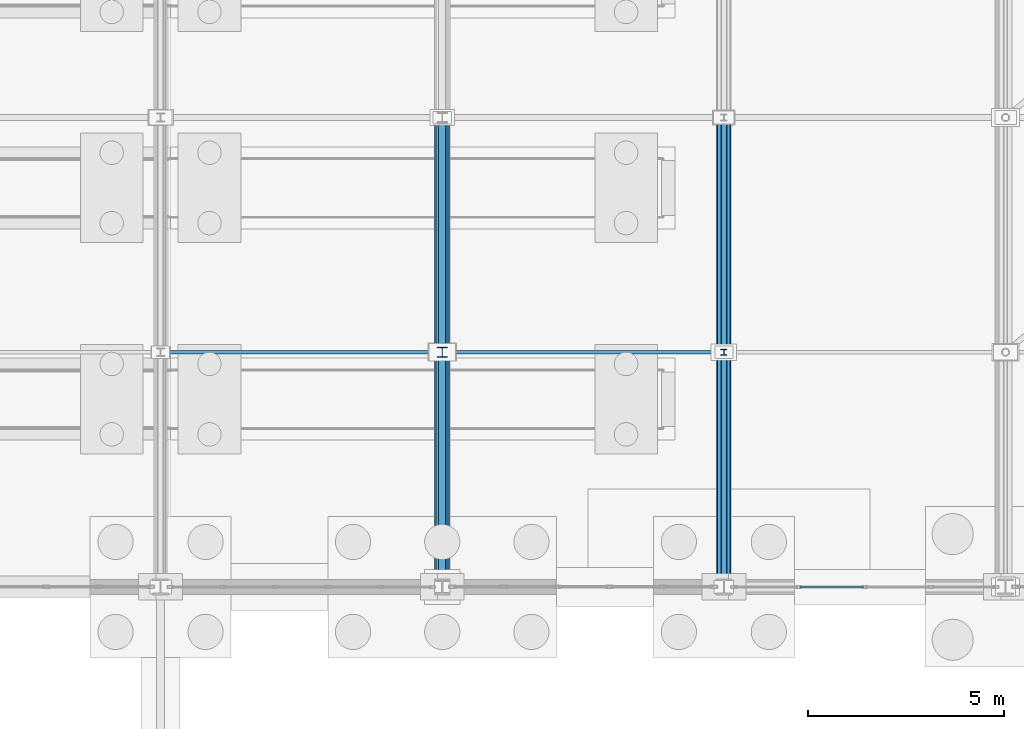
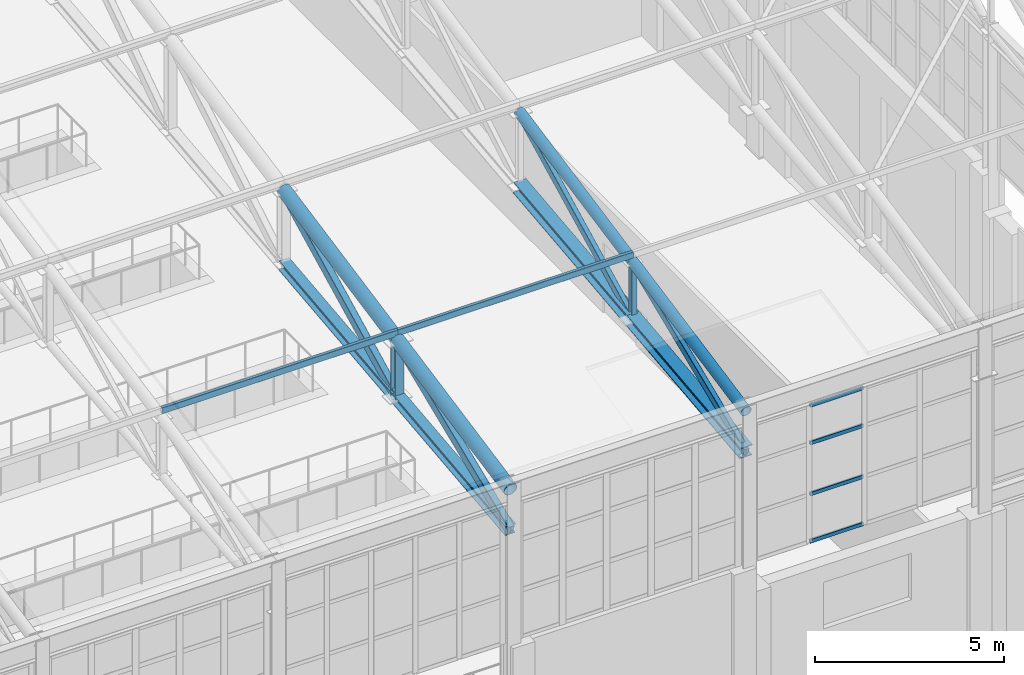
# One storey, part 174 of 293: 20 members, 1 element without a shape of its own.
"""IFC4 building model written with IfcOpenShell, lengths in metres."""

from ifc_helpers import new_model, si_unit, direction, frame, origin, origin_2d, place, context, subcontext, project, spatial, hollow_rectangle, hollow_circle, i_section, extrude, material, layer, layer_set, material_profile, profile_set, type_object, element, aggregate, save


model = new_model("IFC4")

# Units and contexts
model_context = context("Model", 3, precision=1e-05, world=origin(), true_north=direction((0.0, 1.0)))
body_context = subcontext(model_context, "Body", "Model", "MODEL_VIEW")
ifc_project = project(units=[si_unit("LENGTHUNIT", "METRE"), si_unit("AREAUNIT", "SQUARE_METRE"), si_unit("VOLUMEUNIT", "CUBIC_METRE"), si_unit("PLANEANGLEUNIT", "RADIAN"), si_unit("MASSUNIT", "GRAM", prefix="KILO")], contexts=[model_context])

# Site, building, storey
site_placement = place(None, origin())
site = spatial("IfcSite", under=ifc_project, at=site_placement, CompositionType="ELEMENT")
building_placement = place(site_placement, origin())
building = spatial("IfcBuilding", under=site, at=building_placement, Name="Kemerveld Promenade Tramway Depot", CompositionType="ELEMENT")
storey_placement = place(building_placement, origin())
storey = spatial("IfcBuildingStorey", under=building, at=storey_placement, Name="L00", CompositionType="ELEMENT", Elevation=0.0)

# Curtain wall, members
ifc_material_1 = material(Name="Bronze anodised aluminium and solar glass", Category="aluminium")
ifc_layer = layer(ifc_material_1, 0.159912109375)
ifc_layer_set = layer_set([ifc_layer], Name="CW-SYS-09")
curtain_wall_type = type_object("IfcCurtainWallType", Name="CW-SYS-09", PredefinedType="USERDEFINED", material=ifc_layer_set)
curtain_wall_placement = place(storey_placement, origin())
curtain_wall = element("IfcCurtainWall", 1, at=curtain_wall_placement, inside=storey, type_object=curtain_wall_type, Name="CW-V1-S-20", ObjectType="GLAZED_CURTAIN_WALL", PredefinedType="USERDEFINED")
ifc_material_2 = material(Name="Bronze anodised aluminium", Category="aluminium")
ifc_material_profile_1 = material_profile(ifc_material_2, hollow_rectangle(XDim=0.06005859375, YDim=0.1201171875, WallThickness=0.00390625, InnerFilletRadius=0.001953125, OuterFilletRadius=0.00390625, at=origin_2d()), Name="CW-TRN-120x60")
ifc_profile_set_1 = profile_set([ifc_material_profile_1], Name="Bronze anodised aluminium")
member_type_1 = type_object("IfcMemberType", Name="CW-TRN-A", PredefinedType="USERDEFINED", material=ifc_profile_set_1)
member_1_placement = place(storey_placement, frame((176.367431640625, 84.0, 6.22998046875), z_axis=(-1.0, 0.0, 0.0), x_axis=(0.0, -1.0, 0.0)))
member_1 = element("IfcMember", 2, at=member_1_placement, type_object=member_type_1, Name="CW09 transom 3.1", ObjectType="TRANSOM", PredefinedType="USERDEFINED", context=body_context, shape_type="SweptSolid", body=[
    extrude(hollow_rectangle(XDim=0.06005859375, YDim=0.1201171875, WallThickness=0.00390625, InnerFilletRadius=0.001953125, OuterFilletRadius=0.00390625, at=origin_2d()), origin(), (0.0, 0.0, 1.0), 1.623291015625),
])
member_2_placement = place(storey_placement, frame((176.367431640625, 84.0, 7.758056640625), z_axis=(-1.0, 0.0, 0.0), x_axis=(0.0, -1.0, 0.0)))
member_2 = element("IfcMember", 3, at=member_2_placement, type_object=member_type_1, Name="CW09 transom 3.2", ObjectType="TRANSOM", PredefinedType="USERDEFINED", context=body_context, shape_type="SweptSolid", body=[
    extrude(hollow_rectangle(XDim=0.06005859375, YDim=0.1201171875, WallThickness=0.00390625, InnerFilletRadius=0.001953125, OuterFilletRadius=0.00390625, at=origin_2d()), origin(), (0.0, 0.0, 1.0), 1.623291015625),
])
member_3_placement = place(storey_placement, frame((176.367431640625, 84.0, 9.404052734375), z_axis=(-1.0, 0.0, 0.0), x_axis=(0.0, -1.0, 0.0)))
member_3 = element("IfcMember", 4, at=member_3_placement, type_object=member_type_1, Name="CW09 transom 3.3", ObjectType="TRANSOM", PredefinedType="USERDEFINED", context=body_context, shape_type="SweptSolid", body=[
    extrude(hollow_rectangle(XDim=0.06005859375, YDim=0.1201171875, WallThickness=0.00390625, InnerFilletRadius=0.001953125, OuterFilletRadius=0.00390625, at=origin_2d()), origin(), (0.0, 0.0, 1.0), 1.623291015625),
])
member_4_placement = place(storey_placement, frame((176.367431640625, 84.0, 10.6201171875), z_axis=(-1.0, 0.0, 0.0), x_axis=(0.0, -1.0, 0.0)))
member_4 = element("IfcMember", 5, at=member_4_placement, type_object=member_type_1, Name="CW09 transom 3.4", ObjectType="TRANSOM", PredefinedType="USERDEFINED", context=body_context, shape_type="SweptSolid", body=[
    extrude(hollow_rectangle(XDim=0.06005859375, YDim=0.1201171875, WallThickness=0.00390625, InnerFilletRadius=0.001953125, OuterFilletRadius=0.00390625, at=origin_2d()), origin(), (0.0, 0.0, 1.0), 1.623291015625),
])
aggregate(curtain_wall, [member_1, member_2, member_3, member_4])

# Members
ifc_material_3 = material(Name="Steel S355", Category="steel")
ifc_material_profile_2 = material_profile(ifc_material_3, hollow_rectangle(XDim=0.199951171875, YDim=0.300048828125, WallThickness=0.012451171875, InnerFilletRadius=0.00634765625, OuterFilletRadius=0.018798828125, at=origin_2d()), Name="300x200x12.5 RHS")
ifc_profile_set_2 = profile_set([ifc_material_profile_2], Name="Steel S355")
member_type_2 = type_object("IfcMemberType", Name="MB-M01", PredefinedType="BRACE", material=ifc_profile_set_2)
member_5_placement = place(storey_placement, frame((165.60009765625, 84.0, 9.800048828125), z_axis=(0.0, 0.923076923077, 0.384615384615), x_axis=(-1.0, 0.0, 0.0)))
element("IfcMember", 6, at=member_5_placement, inside=storey, type_object=member_type_2, Name="TR-24-DG-01", PredefinedType="BRACE", context=body_context, shape_type="SweptSolid", body=[
    extrude(hollow_rectangle(XDim=0.199951171875, YDim=0.300048828125, WallThickness=0.012451171875, InnerFilletRadius=0.00634765625, OuterFilletRadius=0.018798828125, at=origin_2d()), origin(), (0.0, 0.0, 1.0), 6.5),
])
member_6_placement = place(storey_placement, frame((165.60009765625, 90.0, 10.4599609375), z_axis=(0.0, 0.892033434612, 0.451969414379), x_axis=(-1.0, 0.0, 0.0)))
element("IfcMember", 7, at=member_6_placement, inside=storey, type_object=member_type_2, Name="TR-24-DG-02", PredefinedType="BRACE", context=body_context, shape_type="SweptSolid", body=[
    extrude(hollow_rectangle(XDim=0.199951171875, YDim=0.300048828125, WallThickness=0.012451171875, InnerFilletRadius=0.00634765625, OuterFilletRadius=0.018798828125, at=origin_2d()), origin(), (0.0, 0.0, 1.0), 6.726318359375),
])
ifc_material_profile_3 = material_profile(ifc_material_3, hollow_rectangle(XDim=0.14990234375, YDim=0.25, WallThickness=0.010009765625, InnerFilletRadius=0.0048828125, OuterFilletRadius=0.014892578125, at=origin_2d()), Name="250x150x10.0 RHS")
ifc_profile_set_3 = profile_set([ifc_material_profile_3], Name="Steel S355")
member_type_3 = type_object("IfcMemberType", Name="MB-M02", PredefinedType="BRACE", material=ifc_profile_set_3)
member_7_placement = place(storey_placement, frame((172.800048828125, 84.0, 9.800048828125), z_axis=(0.0, 0.923076923077, 0.384615384615), x_axis=(-1.0, 0.0, 0.0)))
element("IfcMember", 8, at=member_7_placement, inside=storey, type_object=member_type_3, Name="TR-25-DG-01", PredefinedType="BRACE", context=body_context, shape_type="SweptSolid", body=[
    extrude(hollow_rectangle(XDim=0.14990234375, YDim=0.25, WallThickness=0.010009765625, InnerFilletRadius=0.0048828125, OuterFilletRadius=0.014892578125, at=origin_2d()), origin(), (0.0, 0.0, 1.0), 6.5),
])
member_8_placement = place(storey_placement, frame((172.800048828125, 90.0, 10.4599609375), z_axis=(0.0, 0.892033434612, 0.451969414379), x_axis=(-1.0, 0.0, 0.0)))
element("IfcMember", 9, at=member_8_placement, inside=storey, type_object=member_type_3, Name="TR-25-DG-02", PredefinedType="BRACE", context=body_context, shape_type="SweptSolid", body=[
    extrude(hollow_rectangle(XDim=0.14990234375, YDim=0.25, WallThickness=0.010009765625, InnerFilletRadius=0.0048828125, OuterFilletRadius=0.014892578125, at=origin_2d()), origin(), (0.0, 0.0, 1.0), 6.726318359375),
])
ifc_material_profile_4 = material_profile(ifc_material_3, i_section(OverallWidth=0.25634765625, OverallDepth=0.26025390625, WebThickness=0.01025390625, FlangeThickness=0.017333984375, FilletRadius=0.0126953125, at=origin_2d()), Name="254x254x89 UC")
ifc_profile_set_4 = profile_set([ifc_material_profile_4], Name="Steel S355")
member_type_4 = type_object("IfcMemberType", Name="MB-M04", PredefinedType="POST", material=ifc_profile_set_4)
member_9_placement = place(storey_placement, frame((165.60009765625, 90.0, 10.4599609375), z_axis=(0.0, 0.0, 1.0), x_axis=(1.0, 0.0, 0.0)))
element("IfcMember", 10, at=member_9_placement, inside=storey, type_object=member_type_4, Name="TR-24-VT-01", PredefinedType="POST", context=body_context, shape_type="SweptSolid", body=[
    extrude(i_section(OverallWidth=0.25634765625, OverallDepth=0.26025390625, WebThickness=0.01025390625, FlangeThickness=0.017333984375, FilletRadius=0.0126953125, at=origin_2d()), origin(), (0.0, 0.0, 1.0), 1.840087890625),
])
ifc_material_profile_5 = material_profile(ifc_material_3, i_section(OverallWidth=0.154296875, OverallDepth=0.161865234375, WebThickness=0.008056640625, FlangeThickness=0.011474609375, FilletRadius=0.007568359375, at=origin_2d()), Name="152x152x37 UC")
ifc_profile_set_5 = profile_set([ifc_material_profile_5], Name="Steel S355")
member_type_5 = type_object("IfcMemberType", Name="MB-M05", PredefinedType="POST", material=ifc_profile_set_5)
member_10_placement = place(storey_placement, frame((172.800048828125, 90.0, 10.4599609375), z_axis=(0.0, 0.0, 1.0), x_axis=(1.0, 0.0, 0.0)))
element("IfcMember", 11, at=member_10_placement, inside=storey, type_object=member_type_5, Name="TR-25-VT-01", PredefinedType="POST", context=body_context, shape_type="SweptSolid", body=[
    extrude(i_section(OverallWidth=0.154296875, OverallDepth=0.161865234375, WebThickness=0.008056640625, FlangeThickness=0.011474609375, FilletRadius=0.007568359375, at=origin_2d()), origin(), (0.0, 0.0, 1.0), 1.840087890625),
])
ifc_material_profile_6 = material_profile(ifc_material_3, i_section(OverallWidth=0.37255859375, OverallDepth=0.3681640625, WebThickness=0.014404296875, FlangeThickness=0.023681640625, FilletRadius=0.01513671875, at=origin_2d()), Name="356x368x177 UC")
ifc_profile_set_6 = profile_set([ifc_material_profile_6], Name="Steel S355")
member_type_6 = type_object("IfcMemberType", Name="MB-M08", PredefinedType="CHORD", material=ifc_profile_set_6)
for number, where, z_axis, x_axis, name in (
    (12, (172.800048828125, 84.0, 9.800048828125), (0.0, 0.994005938353, 0.109326092585), (-1.0, 0.0, 0.0), "TR-25-BC-01"),
    (13, (172.800048828125, 90.0, 10.4599609375), (0.0, 0.994001542248, 0.109366055104), (-1.0, 0.0, 0.0), "TR-25-BC-02"),
):
    element("IfcMember", number, at=place(storey_placement, frame(where, z_axis=z_axis, x_axis=x_axis)), inside=storey, type_object=member_type_6, Name=name, PredefinedType="CHORD", context=body_context, shape_type="SweptSolid", body=[
        extrude(i_section(OverallWidth=0.37255859375, OverallDepth=0.3681640625, WebThickness=0.014404296875, FlangeThickness=0.023681640625, FilletRadius=0.01513671875, at=origin_2d()), origin(), (0.0, 0.0, 1.0), 6.0361328125),
    ])
ifc_material_profile_7 = material_profile(ifc_material_3, hollow_rectangle(XDim=0.10009765625, YDim=0.199951171875, WallThickness=0.008056640625, InnerFilletRadius=0.00390625, OuterFilletRadius=0.011962890625, at=origin_2d()), Name="200x100x8.0 RHS")
ifc_profile_set_7 = profile_set([ifc_material_profile_7], Name="Steel S355")
member_type_7 = type_object("IfcMemberType", Name="MB-PR2", PredefinedType="PURLIN", material=ifc_profile_set_7)
member_11_placement = place(storey_placement, frame((158.39990234375, 90.0, 12.544921875), z_axis=(1.0, 0.0, 0.0), x_axis=(0.0, 1.0, 0.0)))
element("IfcMember", 14, at=member_11_placement, inside=storey, type_object=member_type_7, Name="PUR-V1-01-23", PredefinedType="PURLIN", context=body_context, shape_type="SweptSolid", body=[
    extrude(hollow_rectangle(XDim=0.10009765625, YDim=0.199951171875, WallThickness=0.008056640625, InnerFilletRadius=0.00390625, OuterFilletRadius=0.011962890625, at=origin_2d()), origin(), (0.0, 0.0, 1.0), 7.2001953125),
])
member_12_placement = place(storey_placement, frame((165.60009765625, 90.0, 12.544921875), z_axis=(1.0, 0.0, 0.0), x_axis=(0.0, 1.0, 0.0)))
element("IfcMember", 15, at=member_12_placement, inside=storey, type_object=member_type_7, Name="PUR-V1-01-24", PredefinedType="PURLIN", context=body_context, shape_type="SweptSolid", body=[
    extrude(hollow_rectangle(XDim=0.10009765625, YDim=0.199951171875, WallThickness=0.008056640625, InnerFilletRadius=0.00390625, OuterFilletRadius=0.011962890625, at=origin_2d()), origin(), (0.0, 0.0, 1.0), 7.199951171875),
])
ifc_material_profile_8 = material_profile(ifc_material_3, hollow_circle(Radius=0.203125, WallThickness=0.01611328125, at=origin_2d()), Name="406.4x16.0 CHS")
ifc_profile_set_8 = profile_set([ifc_material_profile_8], Name="Steel S355")
member_type_8 = type_object("IfcMemberType", Name="MB-TC1", PredefinedType="CHORD", material=ifc_profile_set_8)
for number, where, z_axis, x_axis, name in (
    (16, (165.60009765625, 84.0, 11.10009765625), (0.0, 0.980582210276, 0.196108462057), (-1.0, 0.0, 0.0), "TR-24-TC-01"),
    (17, (165.60009765625, 90.0, 12.300048828125), (0.0, 0.980582210276, 0.196108462057), (-1.0, 0.0, 0.0), "TR-24-TC-02"),
):
    element("IfcMember", number, at=place(storey_placement, frame(where, z_axis=z_axis, x_axis=x_axis)), inside=storey, type_object=member_type_8, Name=name, PredefinedType="CHORD", context=body_context, shape_type="SweptSolid", body=[
        extrude(hollow_circle(Radius=0.203125, WallThickness=0.01611328125, at=origin_2d()), origin(), (0.0, 0.0, 1.0), 6.118896484375),
    ])
ifc_material_profile_9 = material_profile(ifc_material_3, hollow_circle(Radius=0.161865234375, WallThickness=0.012451171875, at=origin_2d()), Name="323.9x12.5 CHS")
ifc_profile_set_9 = profile_set([ifc_material_profile_9], Name="Steel S355")
member_type_9 = type_object("IfcMemberType", Name="MB-TC2", PredefinedType="CHORD", material=ifc_profile_set_9)
for number, where, z_axis, x_axis, name in (
    (18, (172.800048828125, 84.0, 11.10009765625), (0.0, 0.980582210276, 0.196108462057), (-1.0, 0.0, 0.0), "TR-25-TC-01"),
    (19, (172.800048828125, 90.0, 12.300048828125), (0.0, 0.980582210276, 0.196108462057), (-1.0, 0.0, 0.0), "TR-25-TC-02"),
):
    element("IfcMember", number, at=place(storey_placement, frame(where, z_axis=z_axis, x_axis=x_axis)), inside=storey, type_object=member_type_9, Name=name, PredefinedType="CHORD", context=body_context, shape_type="SweptSolid", body=[
        extrude(hollow_circle(Radius=0.161865234375, WallThickness=0.012451171875, at=origin_2d()), origin(), (0.0, 0.0, 1.0), 6.118896484375),
    ])
ifc_material_profile_10 = material_profile(ifc_material_3, i_section(OverallWidth=0.307373046875, OverallDepth=0.314453125, WebThickness=0.011962890625, FlangeThickness=0.018798828125, FilletRadius=0.01513671875, at=origin_2d()), Name="305x305x118 UC")
ifc_profile_set_10 = profile_set([ifc_material_profile_10], Name="Steel S355")
member_type_10 = type_object("IfcMemberType", Name="MB-TC4", PredefinedType="CHORD", material=ifc_profile_set_10)
for number, where, z_axis, x_axis, name in (
    (20, (165.60009765625, 84.0, 9.800048828125), (0.0, 0.994005938353, 0.109326092585), (-1.0, 0.0, 0.0), "TR-24-BC-01"),
    (21, (165.60009765625, 90.0, 10.4599609375), (0.0, 0.994001542248, 0.109366055104), (-1.0, 0.0, 0.0), "TR-24-BC-02"),
):
    element("IfcMember", number, at=place(storey_placement, frame(where, z_axis=z_axis, x_axis=x_axis)), inside=storey, type_object=member_type_10, Name=name, PredefinedType="CHORD", context=body_context, shape_type="SweptSolid", body=[
        extrude(i_section(OverallWidth=0.307373046875, OverallDepth=0.314453125, WebThickness=0.011962890625, FlangeThickness=0.018798828125, FilletRadius=0.01513671875, at=origin_2d()), origin(), (0.0, 0.0, 1.0), 6.0361328125),
    ])

save(model, "model.ifc")
